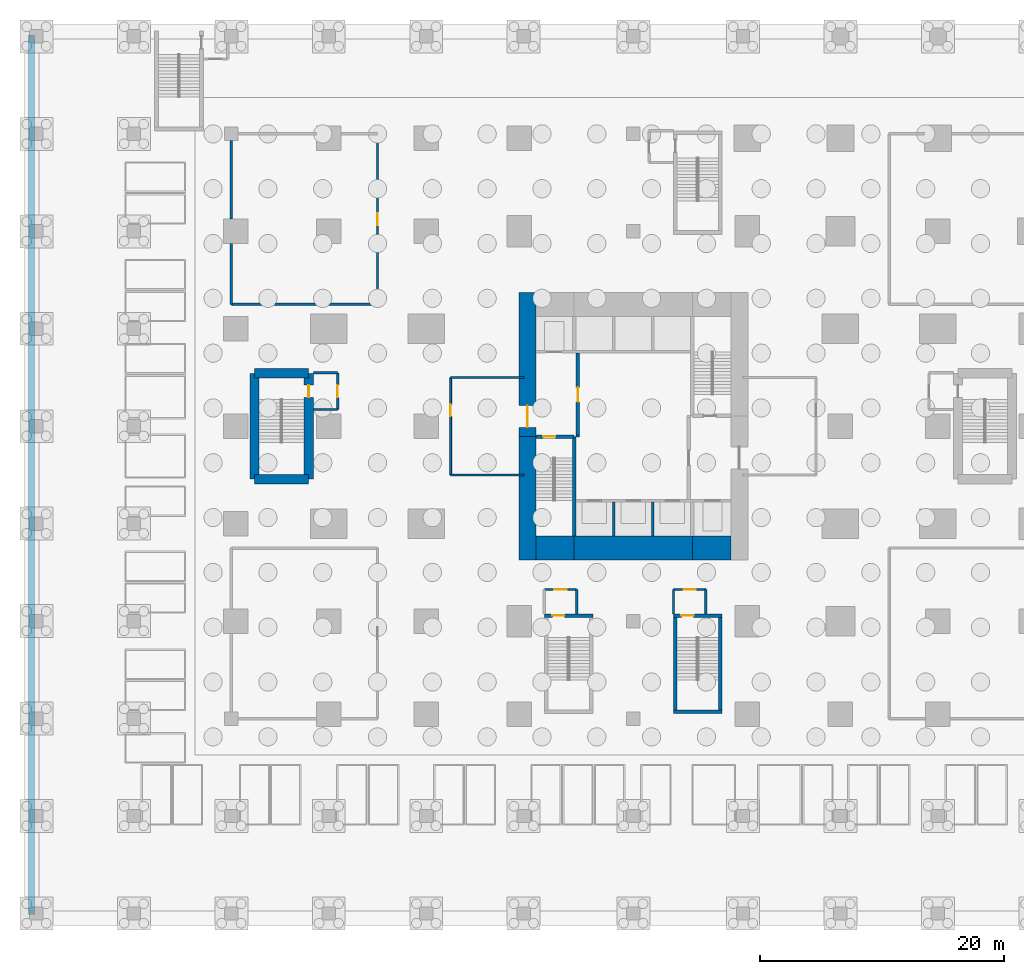
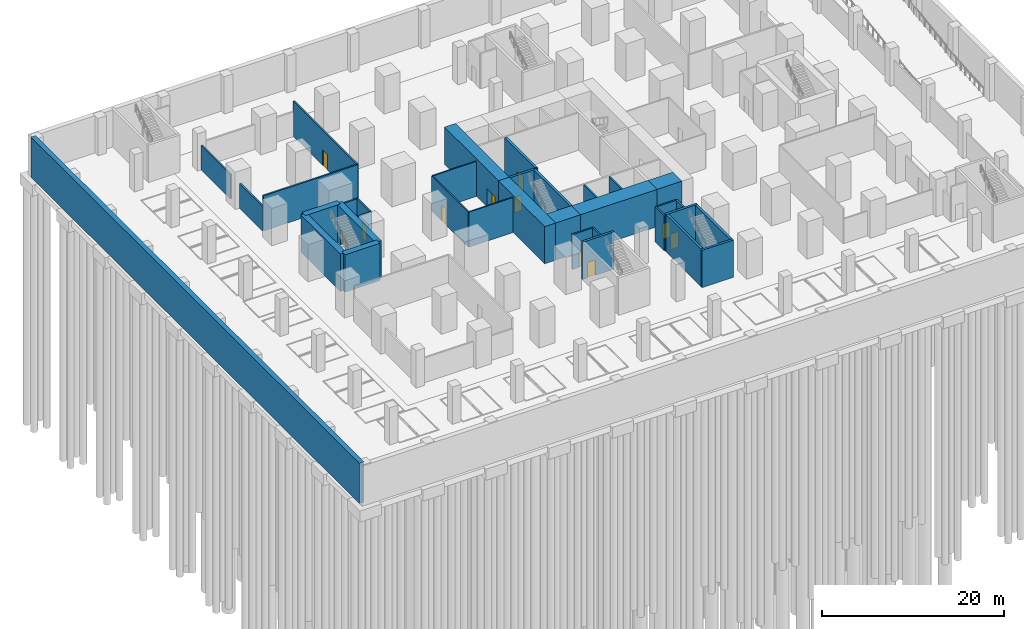
# One storey, part 7 of 17: 36 walls, 11 doors, 11 openings.
"""IFC4 building model written with IfcOpenShell, lengths in metres."""

import ifcopenshell
import ifcopenshell.guid

model = None  # the IFC model being written
_history = None  # IfcOwnerHistory: only IFC2X3 demands one
_inside = {}  # id of a spatial element -> (the spatial element, [elements in it])
_under = {}  # id of a project, library or spatial element -> (it, [spatial elements below it])
_declared = {}  # id of a project -> (the project, [libraries it declares])
_typed = {}  # id of a type object -> (the type object, [elements of that type])
_made_of = {}  # id of a material, layer set ... -> (it, [elements and type objects made of it])


def new_model(schema):
    """Start an empty IFC model of exactly this schema.

    Asked for "IFC4X3", IfcOpenShell would pick the latest addendum, in which some entities
    have other attributes; the version numbers below select the first issue.
    IFC2X3 requires an IfcOwnerHistory on every rooted entity: one is made here for all.
    """
    global model, _history
    if schema == "IFC4X3":
        model = ifcopenshell.file(schema_version=(4, 3, 0, 0))
    else:
        model = ifcopenshell.file(schema=schema)
    _inside.clear()
    _under.clear()
    _declared.clear()
    _typed.clear()
    _made_of.clear()
    _history = None
    if model.schema == "IFC2X3":
        org = make("IfcOrganization", Name="unknown")
        user = make(
            "IfcPersonAndOrganization",
            ThePerson=make("IfcPerson", FamilyName="unknown"),
            TheOrganization=org,
        )
        app = make(
            "IfcApplication",
            ApplicationDeveloper=org,
            Version="unknown",
            ApplicationFullName="unknown",
            ApplicationIdentifier="unknown",
        )
        _history = make(
            "IfcOwnerHistory",
            OwningUser=user,
            OwningApplication=app,
            ChangeAction="ADDED",
            CreationDate=0,
        )
    return model


def make(cls, **values):
    """One entity of the class cls with the attributes given. An attribute that is None is left unset."""
    return model.create_entity(
        cls, **{name: value for name, value in values.items() if value is not None}
    )


def rooted(cls, **values):
    """An entity with a GlobalId (a new one), such as an element, a storey or a relation."""
    return make(cls, GlobalId=ifcopenshell.guid.new(), OwnerHistory=_history, **values)


def si_unit(unit_type, name, prefix=None):
    """IfcSIUnit, for example si_unit("LENGTHUNIT", "METRE", prefix="MILLI")."""
    return make("IfcSIUnit", UnitType=unit_type, Prefix=prefix, Name=name)


def assignment(units):
    """IfcUnitAssignment: the units of a project."""
    return None if units is None else make("IfcUnitAssignment", Units=units)


def point(xyz):
    """IfcCartesianPoint."""
    return None if xyz is None else make("IfcCartesianPoint", Coordinates=xyz)


def direction(xyz):
    """IfcDirection."""
    return None if xyz is None else make("IfcDirection", DirectionRatios=xyz)


def frame(location, z_axis=None, x_axis=None):
    """IfcAxis2Placement3D, a coordinate frame: its origin and axes. An axis left out is left unset."""
    return make(
        "IfcAxis2Placement3D",
        Location=point(location),
        Axis=direction(z_axis),
        RefDirection=direction(x_axis),
    )


def frame_2d(location, x_axis=None):
    """IfcAxis2Placement2D, a coordinate frame in the plane: its origin and x axis."""
    return make(
        "IfcAxis2Placement2D", Location=point(location), RefDirection=direction(x_axis)
    )


def origin():
    """The frame at (0, 0, 0) with its axes left unset."""
    return frame((0.0, 0.0, 0.0))


def place(relative_to, where):
    """IfcLocalPlacement: puts the frame where relative to a parent placement (None: the world)."""
    return make(
        "IfcLocalPlacement", PlacementRelTo=relative_to, RelativePlacement=where
    )


def context(
    kind, dimensions, precision=None, world=None, true_north=None, identifier=None
):
    """IfcGeometricRepresentationContext, for example the 3D "Model" context."""
    return make(
        "IfcGeometricRepresentationContext",
        ContextIdentifier=identifier,
        ContextType=kind,
        CoordinateSpaceDimension=dimensions,
        Precision=precision,
        WorldCoordinateSystem=world,
        TrueNorth=true_north,
    )


def subcontext(parent, identifier, kind, view, scale=None):
    """IfcGeometricRepresentationSubContext, for example "Body" below "Model"."""
    return make(
        "IfcGeometricRepresentationSubContext",
        ContextIdentifier=identifier,
        ContextType=kind,
        ParentContext=parent,
        TargetScale=scale,
        TargetView=view,
    )


def project(units=None, contexts=None):
    """IfcProject with its units and contexts."""
    return rooted(
        "IfcProject",
        Name="project",
        RepresentationContexts=contexts,
        UnitsInContext=assignment(units),
    )


def spatial(cls, under=None, at=None, **own):
    """A site, building, storey or space (cls), placed at a placement, below another one or the project."""
    s = rooted(cls, ObjectPlacement=at, **own)
    if under is not None:
        _under.setdefault(under.id(), (under, []))[1].append(s)
    return s


def profile(cls, at=None, kind="AREA", **sizes):
    """A parametric profile (cls). Its sizes go by their IFC names, for example OverallWidth=200.0."""
    return make(cls, ProfileType=kind, Position=at, **sizes)


def rectangle(**sizes):
    """IfcRectangleProfileDef."""
    return profile("IfcRectangleProfileDef", **sizes)


def extrude(swept, where, along, depth):
    """IfcExtrudedAreaSolid: the profile swept, set in the frame where, extruded along a direction by depth."""
    return make(
        "IfcExtrudedAreaSolid",
        SweptArea=swept,
        Position=where,
        ExtrudedDirection=direction(along),
        Depth=depth,
    )


def shape(context_of_items, identifier, shape_type, items):
    """IfcShapeRepresentation: the items that make up one representation, for example the "Body"."""
    return make(
        "IfcShapeRepresentation",
        ContextOfItems=context_of_items,
        RepresentationIdentifier=identifier,
        RepresentationType=shape_type,
        Items=items,
    )


def material(Name=None, Category=None):
    """IfcMaterial."""
    return make("IfcMaterial", Name=Name, Category=Category)


def layer(
    of_material, thickness, ventilated=None, Name=None, Category=None, Priority=None
):
    """IfcMaterialLayer: one layer of a wall or slab, of a material (None: an air gap)."""
    return make(
        "IfcMaterialLayer",
        Material=of_material,
        LayerThickness=thickness,
        IsVentilated=ventilated,
        Name=Name,
        Category=Category,
        Priority=Priority,
    )


def layer_set(layers, Name=None):
    """IfcMaterialLayerSet."""
    return make("IfcMaterialLayerSet", MaterialLayers=layers, LayerSetName=Name)


def made_of(thing, what):
    """Note that an element or type object is made of a material, layer set ...; save() writes the relation."""
    if what is not None:
        _made_of.setdefault(what.id(), (what, []))[1].append(thing)
    return thing


def type_object(cls, material=None, **own):
    """A type object (cls), such as IfcWallType, which elements share."""
    return made_of(rooted(cls, **own), material)


def element(
    cls,
    number,
    at=None,
    inside=None,
    cuts=None,
    type_object=None,
    material=None,
    context=None,
    identifier="Body",
    shape_type=None,
    held_by="IfcProductDefinitionShape",
    body=None,
    shapes=None,
    **own,
):
    """One element of the class cls, such as IfcWall. Its Tag is "e" and its number.

    at: its placement. inside: the storey or other place that contains it. cuts: it is an
    opening in that element (IfcRelVoidsElement). A single representation is given by context,
    identifier, shape_type and body (its items); several are given by shapes. held_by: the class
    of the entity that holds the representations. save() writes the other relations.
    """
    e = rooted(cls, Tag="e%d" % number, ObjectPlacement=at, **own)
    if body is not None:
        shapes = [shape(context, identifier, shape_type, body)]
    if shapes is not None:
        e.Representation = make(held_by, Representations=shapes)
    if inside is not None:
        _inside.setdefault(inside.id(), (inside, []))[1].append(e)
    if cuts is not None:
        rooted(
            "IfcRelVoidsElement", RelatingBuildingElement=cuts, RelatedOpeningElement=e
        )
    if type_object is not None:
        _typed.setdefault(type_object.id(), (type_object, []))[1].append(e)
    return made_of(e, material)


def fill(opening, filler):
    """IfcRelFillsElement: the door or window that sits in an opening."""
    return rooted(
        "IfcRelFillsElement",
        RelatingOpeningElement=opening,
        RelatedBuildingElement=filler,
    )


def aggregate(whole, parts):
    """IfcRelAggregates: a whole, such as a stair, and the parts it consists of."""
    return rooted("IfcRelAggregates", RelatingObject=whole, RelatedObjects=parts)


def save(model, path):
    """Write the relations noted so far, then the file.

    IfcRelAggregates (storeys below a building ...), IfcRelContainedInSpatialStructure (elements
    in a storey), IfcRelDefinesByType, IfcRelAssociatesMaterial and IfcRelDeclares: one each for
    every whole, place, type object, material and project.
    """
    for whole, parts in _under.values():
        aggregate(whole, parts)
    for where, things in _inside.values():
        rooted(
            "IfcRelContainedInSpatialStructure",
            RelatedElements=things,
            RelatingStructure=where,
        )
    for kind, things in _typed.values():
        rooted("IfcRelDefinesByType", RelatedObjects=things, RelatingType=kind)
    for what, things in _made_of.values():
        rooted("IfcRelAssociatesMaterial", RelatedObjects=things, RelatingMaterial=what)
    for by, libraries in _declared.values():
        rooted("IfcRelDeclares", RelatingContext=by, RelatedDefinitions=libraries)
    model.write(path)


model = new_model("IFC4")

# Units and contexts
model_context = context("Model", 3, precision=1e-05, world=origin(), true_north=direction((0.0, 1.0)))
body_context = subcontext(model_context, "Body", "Model", "MODEL_VIEW")
ifc_project = project(units=[si_unit("LENGTHUNIT", "METRE"), si_unit("AREAUNIT", "SQUARE_METRE"), si_unit("VOLUMEUNIT", "CUBIC_METRE"), si_unit("PLANEANGLEUNIT", "RADIAN"), si_unit("MASSUNIT", "GRAM", prefix="KILO")], contexts=[model_context])

# Site, building, storey
site_placement = place(None, origin())
site = spatial("IfcSite", under=ifc_project, at=site_placement, CompositionType="ELEMENT")
building_placement = place(site_placement, origin())
building = spatial("IfcBuilding", under=site, at=building_placement, Name="Cleftline Residences", CompositionType="ELEMENT")
storey_placement = place(building_placement, frame((0.0, 0.0, -5.0)))
storey = spatial("IfcBuildingStorey", under=building, at=storey_placement, Name="L-01", CompositionType="ELEMENT", Elevation=-5.0)

# Wall
ifc_material_1 = material(Name="Concrete B70", Category="concrete")
ifc_layer_1 = layer(ifc_material_1, 1.39990234375)
ifc_layer_set_1 = layer_set([ifc_layer_1], Name="CORE WALL 1400")
wall_type_1 = type_object("IfcWallType", Name="CORE WALL 1400", PredefinedType="SHEAR", material=ifc_layer_set_1)
wall_1_placement = place(storey_placement, frame((24.300048828125, 13.0, 0.0), z_axis=(0.0, 0.0, 1.0), x_axis=(0.0, 1.0, 0.0)))
element("IfcWall", 1, at=wall_1_placement, inside=storey, type_object=wall_type_1, Name="Core wall W0", PredefinedType="SHEAR", context=body_context, shape_type="SweptSolid", body=[
    extrude(rectangle(XDim=10.14990234375, YDim=1.39990234375, at=frame_2d((5.074951171875, 0.0))), origin(), (0.0, 0.0, 1.0), 5.0),
])

# Wall, opening, door
wall_2_placement = place(storey_placement, frame((24.300048828125, 23.14990234375, 0.0), z_axis=(0.0, 0.0, 1.0), x_axis=(0.0, 1.0, 0.0)))
wall_2 = element("IfcWall", 2, at=wall_2_placement, inside=storey, type_object=wall_type_1, Name="Core wall W", PredefinedType="SHEAR", context=body_context, shape_type="SweptSolid", body=[
    extrude(rectangle(XDim=11.85009765625, YDim=1.39990234375, at=frame_2d((5.925048828125, 0.0))), origin(), (0.0, 0.0, 1.0), 5.0),
])
opening_1_placement = place(wall_2_placement, frame((0.75, 0.0, 0.0)))
opening_1 = element("IfcOpeningElement", 3, at=opening_1_placement, cuts=wall_2, Name="Opening D7", PredefinedType="OPENING", context=body_context, shape_type="SweptSolid", body=[
    extrude(rectangle(XDim=1.800048828125, YDim=2.39990234375, at=frame_2d((0.89990234375, 1.199951171875))), frame((0.0, 0.7099609375, 0.0), z_axis=(0.0, -1.0, 0.0), x_axis=(1.0, 0.0, 0.0)), (0.0, 0.0, 1.0), 1.419921875),
])
ifc_material_2 = material(Name="Steel", Category="steel")
door_type_1 = type_object("IfcDoorType", Name="WING DOOR 1800X2400", OperationType="DOUBLE_DOOR_DOUBLE_SWING", PredefinedType="DOOR", material=ifc_material_2)
door_1_placement = place(opening_1_placement, origin())
door_1 = element("IfcDoor", 4, at=door_1_placement, inside=storey, type_object=door_type_1, Name="West wing door", OperationType="DOUBLE_DOOR_DOUBLE_SWING", OverallHeight=2.39990234375, OverallWidth=1.800048828125, PredefinedType="DOOR", context=body_context, shape_type="SweptSolid", body=[
    extrude(rectangle(XDim=1.800048828125, YDim=2.39990234375, at=frame_2d((0.89990234375, 1.199951171875))), frame((0.0, 0.02490234375, 0.0), z_axis=(0.0, -1.0, 0.0), x_axis=(1.0, 0.0, 0.0)), (0.0, 0.0, 1.0), 0.050048828125),
])
fill(opening_1, door_1)

# Walls
ifc_material_3 = material(Name="Concrete B70", Category="concrete")
ifc_layer_2 = layer(ifc_material_3, 2.0)
ifc_layer_set_2 = layer_set([ifc_layer_2], Name="CORE WALL 2000")
wall_type_2 = type_object("IfcWallType", Name="CORE WALL 2000", PredefinedType="SHEAR", material=ifc_layer_set_2)
wall_3_placement = place(storey_placement, frame((25.0, 14.0, 0.0), z_axis=(0.0, 0.0, 1.0), x_axis=(1.0, 0.0, 0.0)))
element("IfcWall", 5, at=wall_3_placement, inside=storey, type_object=wall_type_2, Name="Core wall S1", PredefinedType="SHEAR", context=body_context, shape_type="SweptSolid", body=[
    extrude(rectangle(XDim=3.14990234375, YDim=2.0, at=frame_2d((1.574951171875, 0.0))), origin(), (0.0, 0.0, 1.0), 5.0),
])
wall_4_placement = place(storey_placement, frame((28.14990234375, 14.0, 0.0), z_axis=(0.0, 0.0, 1.0), x_axis=(1.0, 0.0, 0.0)))
element("IfcWall", 6, at=wall_4_placement, inside=storey, type_object=wall_type_2, Name="Core wall S2", PredefinedType="SHEAR", context=body_context, shape_type="SweptSolid", body=[
    extrude(rectangle(XDim=9.7001953125, YDim=2.0, at=frame_2d((4.85009765625, 0.0))), origin(), (0.0, 0.0, 1.0), 5.0),
])
wall_5_placement = place(storey_placement, frame((37.85009765625, 14.0, 0.0), z_axis=(0.0, 0.0, 1.0), x_axis=(1.0, 0.0, 0.0)))
element("IfcWall", 7, at=wall_5_placement, inside=storey, type_object=wall_type_2, Name="Core wall S3", PredefinedType="SHEAR", context=body_context, shape_type="SweptSolid", body=[
    extrude(rectangle(XDim=3.14990234375, YDim=2.0, at=frame_2d((1.574951171875, 0.0))), origin(), (0.0, 0.0, 1.0), 5.0),
])
ifc_material_4 = material(Name="Concrete B70", Category="concrete")
ifc_layer_3 = layer(ifc_material_4, 0.300048828125)
ifc_layer_set_3 = layer_set([ifc_layer_3], Name="CORE WALL 300")
wall_type_3 = type_object("IfcWallType", Name="CORE WALL 300", PredefinedType="SHEAR", material=ifc_layer_set_3)
wall_6_placement = place(storey_placement, frame((28.14990234375, 15.0, 0.0), z_axis=(0.0, 0.0, 1.0), x_axis=(0.0, 1.0, 0.0)))
element("IfcWall", 8, at=wall_6_placement, inside=storey, type_object=wall_type_3, Name="Core wall SA-E", PredefinedType="SHEAR", context=body_context, shape_type="SweptSolid", body=[
    extrude(rectangle(XDim=8.14990234375, YDim=0.300048828125, at=frame_2d((4.074951171875, 0.0))), origin(), (0.0, 0.0, 1.0), 5.0),
])

# Wall, opening, door
wall_7_placement = place(storey_placement, frame((25.0, 23.14990234375, 0.0), z_axis=(0.0, 0.0, 1.0), x_axis=(1.0, 0.0, 0.0)))
wall_7 = element("IfcWall", 9, at=wall_7_placement, inside=storey, type_object=wall_type_3, Name="Core wall SA-N", PredefinedType="SHEAR", context=body_context, shape_type="SweptSolid", body=[
    extrude(rectangle(XDim=3.14990234375, YDim=0.300048828125, at=frame_2d((1.574951171875, 0.0))), origin(), (0.0, 0.0, 1.0), 5.0),
])
opening_2_placement = place(wall_7_placement, frame((0.60009765625, 0.0, 0.0)))
opening_2 = element("IfcOpeningElement", 10, at=opening_2_placement, cuts=wall_7, Name="Opening D5", PredefinedType="OPENING", context=body_context, shape_type="SweptSolid", body=[
    extrude(rectangle(XDim=1.0, YDim=2.10009765625, at=frame_2d((0.5, 1.050048828125))), frame((0.0, 0.159912109375, 0.0), z_axis=(0.0, -1.0, 0.0), x_axis=(1.0, 0.0, 0.0)), (0.0, 0.0, 1.0), 0.320068359375),
])
ifc_material_5 = material(Name="Steel", Category="steel")
door_type_2 = type_object("IfcDoorType", Name="STAIR DOOR 1000X2100", OperationType="SINGLE_SWING_LEFT", PredefinedType="DOOR", material=ifc_material_5)
door_2_placement = place(opening_2_placement, origin())
door_2 = element("IfcDoor", 11, at=door_2_placement, inside=storey, type_object=door_type_2, Name="Stair A door", OperationType="SINGLE_SWING_RIGHT", OverallHeight=2.10009765625, OverallWidth=1.0, PredefinedType="DOOR", context=body_context, shape_type="SweptSolid", body=[
    extrude(rectangle(XDim=1.0, YDim=2.10009765625, at=frame_2d((0.5, 1.050048828125))), frame((0.0, 0.02490234375, 0.0), z_axis=(0.0, -1.0, 0.0), x_axis=(1.0, 0.0, 0.0)), (0.0, 0.0, 1.0), 0.050048828125),
])
fill(opening_2, door_2)

ifc_material_6 = material(Name="Concrete blockwork, fire rated", Category="masonry")
ifc_layer_4 = layer(ifc_material_6, 0.199951171875)
ifc_layer_set_4 = layer_set([ifc_layer_4], Name="FIRE WALL 200")
wall_type_4 = type_object("IfcWallType", Name="FIRE WALL 200", PredefinedType="PARTITIONING", material=ifc_layer_set_4)
wall_8_placement = place(storey_placement, frame((25.699951171875, 10.60009765625, 0.0), z_axis=(0.0, 0.0, 1.0), x_axis=(1.0, 0.0, 0.0)))
wall_8 = element("IfcWall", 12, at=wall_8_placement, inside=storey, type_object=wall_type_4, Name="Fire separating wall", PredefinedType="PARTITIONING", context=body_context, shape_type="SweptSolid", body=[
    extrude(rectangle(XDim=2.650146484375, YDim=0.199951171875, at=frame_2d((1.3251953125, 0.0))), origin(), (0.0, 0.0, 1.0), 4.699951171875),
])
opening_3_placement = place(wall_8_placement, frame((0.824951171875, 0.0, 0.0)))
opening_3 = element("IfcOpeningElement", 13, at=opening_3_placement, cuts=wall_8, Name="Opening D2F60", PredefinedType="OPENING", context=body_context, shape_type="SweptSolid", body=[
    extrude(rectangle(XDim=1.0, YDim=2.10009765625, at=frame_2d((0.5, 1.050048828125))), frame((0.0, 0.10986328125, 0.0), z_axis=(0.0, -1.0, 0.0), x_axis=(1.0, 0.0, 0.0)), (0.0, 0.0, 1.0), 0.219970703125),
])
ifc_material_7 = material(Name="Timber veneer on solid core", Category="wood")
door_type_3 = type_object("IfcDoorType", Name="DOOR 1000X2100 EI 60", OperationType="SINGLE_SWING_LEFT", PredefinedType="DOOR", material=ifc_material_7)
door_3_placement = place(opening_3_placement, origin())
door_3 = element("IfcDoor", 14, at=door_3_placement, inside=storey, type_object=door_type_3, Name="Door to stair c lobby", OperationType="SINGLE_SWING_LEFT", OverallHeight=2.10009765625, OverallWidth=1.0, PredefinedType="DOOR", context=body_context, shape_type="SweptSolid", body=[
    extrude(rectangle(XDim=1.0, YDim=2.10009765625, at=frame_2d((0.5, 1.050048828125))), frame((0.0, 0.02490234375, 0.0), z_axis=(0.0, -1.0, 0.0), x_axis=(1.0, 0.0, 0.0)), (0.0, 0.0, 1.0), 0.050048828125),
])
fill(opening_3, door_3)

wall_9_placement = place(storey_placement, frame((36.300048828125, 10.60009765625, 0.0), z_axis=(0.0, 0.0, 1.0), x_axis=(1.0, 0.0, 0.0)))
wall_9 = element("IfcWall", 15, at=wall_9_placement, inside=storey, type_object=wall_type_4, Name="Fire separating wall", PredefinedType="PARTITIONING", context=body_context, shape_type="SweptSolid", body=[
    extrude(rectangle(XDim=2.64990234375, YDim=0.199951171875, at=frame_2d((1.324951171875, 0.0))), origin(), (0.0, 0.0, 1.0), 4.699951171875),
])
opening_4_placement = place(wall_9_placement, frame((0.824951171875, 0.0, 0.0)))
opening_4 = element("IfcOpeningElement", 16, at=opening_4_placement, cuts=wall_9, Name="Opening D2F60", PredefinedType="OPENING", context=body_context, shape_type="SweptSolid", body=[
    extrude(rectangle(XDim=1.0, YDim=2.10009765625, at=frame_2d((0.5, 1.050048828125))), frame((0.0, 0.10986328125, 0.0), z_axis=(0.0, -1.0, 0.0), x_axis=(1.0, 0.0, 0.0)), (0.0, 0.0, 1.0), 0.219970703125),
])
door_4_placement = place(opening_4_placement, origin())
door_4 = element("IfcDoor", 17, at=door_4_placement, inside=storey, type_object=door_type_3, Name="Door to stair c2 lobby", OperationType="SINGLE_SWING_LEFT", OverallHeight=2.10009765625, OverallWidth=1.0, PredefinedType="DOOR", context=body_context, shape_type="SweptSolid", body=[
    extrude(rectangle(XDim=1.0, YDim=2.10009765625, at=frame_2d((0.5, 1.050048828125))), frame((0.0, 0.02490234375, 0.0), z_axis=(0.0, -1.0, 0.0), x_axis=(1.0, 0.0, 0.0)), (0.0, 0.0, 1.0), 0.050048828125),
])
fill(opening_4, door_4)

# Walls
for number, where, z_axis, x_axis, name in (
    (18, (6.72509765625, 25.375, 0.0), (0.0, 0.0, 1.0), (1.0, 0.0, 0.0), "Fire separating wall"),
    (19, (6.72509765625, 28.375, 0.0), (0.0, 0.0, 1.0), (1.0, 0.0, 0.0), "Fire separating wall"),
):
    element("IfcWall", number, at=place(storey_placement, frame(where, z_axis=z_axis, x_axis=x_axis)), inside=storey, type_object=wall_type_4, Name=name, PredefinedType="PARTITIONING", context=body_context, shape_type="SweptSolid", body=[
        extrude(rectangle(XDim=2.0, YDim=0.199951171875, at=frame_2d((1.0, 0.0))), origin(), (0.0, 0.0, 1.0), 4.699951171875),
    ])
wall_10_placement = place(storey_placement, frame((0.0, 34.0, 0.0), z_axis=(0.0, 0.0, 1.0), x_axis=(1.0, 0.0, 0.0)))
element("IfcWall", 20, at=wall_10_placement, inside=storey, type_object=wall_type_4, Name="Fire separating wall", PredefinedType="PARTITIONING", context=body_context, shape_type="SweptSolid", body=[
    extrude(rectangle(XDim=12.0, YDim=0.199951171875, at=frame_2d((6.0, 0.0))), origin(), (0.0, 0.0, 1.0), 4.699951171875),
])
wall_11_placement = place(storey_placement, frame((0.0, 34.0, 0.0), z_axis=(0.0, 0.0, 1.0), x_axis=(0.0, 1.0, 0.0)))
element("IfcWall", 21, at=wall_11_placement, inside=storey, type_object=wall_type_4, Name="Fire separating wall", PredefinedType="PARTITIONING", context=body_context, shape_type="SweptSolid", body=[
    extrude(rectangle(XDim=5.0, YDim=0.199951171875, at=frame_2d((2.5, 0.0))), origin(), (0.0, 0.0, 1.0), 3.300048828125),
])
wall_12_placement = place(storey_placement, frame((0.0, 41.0, 0.0), z_axis=(0.0, 0.0, 1.0), x_axis=(0.0, 1.0, 0.0)))
element("IfcWall", 22, at=wall_12_placement, inside=storey, type_object=wall_type_4, Name="Fire separating wall", PredefinedType="PARTITIONING", context=body_context, shape_type="SweptSolid", body=[
    extrude(rectangle(XDim=6.449951171875, YDim=0.199951171875, at=frame_2d((3.22509765625, 0.0))), origin(), (0.0, 0.0, 1.0), 3.300048828125),
])

# Wall, opening, door
wall_13_placement = place(storey_placement, frame((8.72509765625, 25.375, 0.0), z_axis=(0.0, 0.0, 1.0), x_axis=(0.0, 1.0, 0.0)))
wall_13 = element("IfcWall", 23, at=wall_13_placement, inside=storey, type_object=wall_type_4, Name="Fire separating wall", PredefinedType="PARTITIONING", context=body_context, shape_type="SweptSolid", body=[
    extrude(rectangle(XDim=3.0, YDim=0.199951171875, at=frame_2d((1.5, 0.0))), origin(), (0.0, 0.0, 1.0), 4.699951171875),
])
opening_5_placement = place(wall_13_placement, frame((1.0, 0.0, 0.0)))
opening_5 = element("IfcOpeningElement", 24, at=opening_5_placement, cuts=wall_13, Name="Opening D2F60", PredefinedType="OPENING", context=body_context, shape_type="SweptSolid", body=[
    extrude(rectangle(XDim=1.0, YDim=2.10009765625, at=frame_2d((0.5, 1.050048828125))), frame((0.0, 0.10986328125, 0.0), z_axis=(0.0, -1.0, 0.0), x_axis=(1.0, 0.0, 0.0)), (0.0, 0.0, 1.0), 0.219970703125),
])
door_5_placement = place(opening_5_placement, origin())
door_5 = element("IfcDoor", 25, at=door_5_placement, inside=storey, type_object=door_type_3, Name="Door to stair w lobby", OperationType="SINGLE_SWING_LEFT", OverallHeight=2.10009765625, OverallWidth=1.0, PredefinedType="DOOR", context=body_context, shape_type="SweptSolid", body=[
    extrude(rectangle(XDim=1.0, YDim=2.10009765625, at=frame_2d((0.5, 1.050048828125))), frame((0.0, 0.02490234375, 0.0), z_axis=(0.0, -1.0, 0.0), x_axis=(1.0, 0.0, 0.0)), (0.0, 0.0, 1.0), 0.050048828125),
])
fill(opening_5, door_5)

wall_14_placement = place(storey_placement, frame((12.0, 34.0, 0.0), z_axis=(0.0, 0.0, 1.0), x_axis=(0.0, 1.0, 0.0)))
wall_14 = element("IfcWall", 26, at=wall_14_placement, inside=storey, type_object=wall_type_4, Name="Fire separating wall", PredefinedType="PARTITIONING", context=body_context, shape_type="SweptSolid", body=[
    extrude(rectangle(XDim=14.0, YDim=0.199951171875, at=frame_2d((7.0, 0.0))), origin(), (0.0, 0.0, 1.0), 4.699951171875),
])
opening_6_placement = place(wall_14_placement, frame((6.5, 0.0, 0.0)))
opening_6 = element("IfcOpeningElement", 27, at=opening_6_placement, cuts=wall_14, Name="Opening D2F60", PredefinedType="OPENING", context=body_context, shape_type="SweptSolid", body=[
    extrude(rectangle(XDim=1.0, YDim=2.10009765625, at=frame_2d((0.5, 1.050048828125))), frame((0.0, 0.10986328125, 0.0), z_axis=(0.0, -1.0, 0.0), x_axis=(1.0, 0.0, 0.0)), (0.0, 0.0, 1.0), 0.219970703125),
])
door_6_placement = place(opening_6_placement, origin())
door_6 = element("IfcDoor", 28, at=door_6_placement, inside=storey, type_object=door_type_3, Name="Door to substation", OperationType="SINGLE_SWING_LEFT", OverallHeight=2.10009765625, OverallWidth=1.0, PredefinedType="DOOR", context=body_context, shape_type="SweptSolid", body=[
    extrude(rectangle(XDim=1.0, YDim=2.10009765625, at=frame_2d((0.5, 1.050048828125))), frame((0.0, 0.02490234375, 0.0), z_axis=(0.0, -1.0, 0.0), x_axis=(1.0, 0.0, 0.0)), (0.0, 0.0, 1.0), 0.050048828125),
])
fill(opening_6, door_6)

# Walls
for number, where, z_axis, x_axis, name in (
    (29, (28.35009765625, 8.60009765625, 0.0), (0.0, 0.0, 1.0), (0.0, 1.0, 0.0), "Fire separating wall"),
    (30, (36.300048828125, 8.60009765625, 0.0), (0.0, 0.0, 1.0), (0.0, 1.0, 0.0), "Fire separating wall"),
    (31, (38.949951171875, 8.60009765625, 0.0), (0.0, 0.0, 1.0), (0.0, 1.0, 0.0), "Fire separating wall"),
):
    element("IfcWall", number, at=place(storey_placement, frame(where, z_axis=z_axis, x_axis=x_axis)), inside=storey, type_object=wall_type_4, Name=name, PredefinedType="PARTITIONING", context=body_context, shape_type="SweptSolid", body=[
        extrude(rectangle(XDim=2.0, YDim=0.199951171875, at=frame_2d((1.0, 0.0))), origin(), (0.0, 0.0, 1.0), 4.699951171875),
    ])
wall_15_placement = place(storey_placement, frame((28.300048828125, 23.199951171875, 0.0), z_axis=(0.0, 0.0, 1.0), x_axis=(1.0, 0.0, 0.0)))
element("IfcWall", 32, at=wall_15_placement, inside=storey, type_object=wall_type_4, Name="Fire separating wall", PredefinedType="PARTITIONING", context=body_context, shape_type="SweptSolid", body=[
    extrude(rectangle(XDim=0.300048828125, YDim=0.199951171875, at=frame_2d((0.14990234375, 0.0))), origin(), (0.0, 0.0, 1.0), 5.0),
])
ifc_material_8 = material(Name="Gypsum board on steel studs", Category="steel")
ifc_layer_5 = layer(ifc_material_8, 0.14990234375)
ifc_layer_set_5 = layer_set([ifc_layer_5], Name="PARTITION 150")
wall_type_5 = type_object("IfcWallType", Name="PARTITION 150", PredefinedType="PARTITIONING", material=ifc_layer_set_5)
for number, where, z_axis, x_axis, name in (
    (33, (18.0, 20.0, 0.0), (0.0, 0.0, 1.0), (1.0, 0.0, 0.0), "Partition"),
    (34, (18.0, 28.0, 0.0), (0.0, 0.0, 1.0), (1.0, 0.0, 0.0), "Partition"),
):
    element("IfcWall", number, at=place(storey_placement, frame(where, z_axis=z_axis, x_axis=x_axis)), inside=storey, type_object=wall_type_5, Name=name, PredefinedType="PARTITIONING", context=body_context, shape_type="SweptSolid", body=[
        extrude(rectangle(XDim=6.0, YDim=0.14990234375, at=frame_2d((3.0, 0.0))), origin(), (0.0, 0.0, 1.0), 4.699951171875),
    ])

# Wall, opening, door
wall_16_placement = place(storey_placement, frame((18.0, 20.0, 0.0), z_axis=(0.0, 0.0, 1.0), x_axis=(0.0, 1.0, 0.0)))
wall_16 = element("IfcWall", 35, at=wall_16_placement, inside=storey, type_object=wall_type_5, Name="Partition", PredefinedType="PARTITIONING", context=body_context, shape_type="SweptSolid", body=[
    extrude(rectangle(XDim=8.0, YDim=0.14990234375, at=frame_2d((4.0, 0.0))), origin(), (0.0, 0.0, 1.0), 4.699951171875),
])
opening_7_placement = place(wall_16_placement, frame((4.800048828125, 0.0, 0.0)))
opening_7 = element("IfcOpeningElement", 36, at=opening_7_placement, cuts=wall_16, Name="Opening D2F30", PredefinedType="OPENING", context=body_context, shape_type="SweptSolid", body=[
    extrude(rectangle(XDim=1.0, YDim=2.10009765625, at=frame_2d((0.5, 1.050048828125))), frame((0.0, 0.0849609375, 0.0), z_axis=(0.0, -1.0, 0.0), x_axis=(1.0, 0.0, 0.0)), (0.0, 0.0, 1.0), 0.169921875),
])
ifc_material_9 = material(Name="Timber veneer on solid core", Category="wood")
door_type_4 = type_object("IfcDoorType", Name="DOOR 1000X2100 EI 30", OperationType="SINGLE_SWING_LEFT", PredefinedType="DOOR", material=ifc_material_9)
door_7_placement = place(opening_7_placement, origin())
door_7 = element("IfcDoor", 37, at=door_7_placement, inside=storey, type_object=door_type_4, Name="Door to basement lift lobby", OperationType="SINGLE_SWING_LEFT", OverallHeight=2.10009765625, OverallWidth=1.0, PredefinedType="DOOR", context=body_context, shape_type="SweptSolid", body=[
    extrude(rectangle(XDim=1.0, YDim=2.10009765625, at=frame_2d((0.5, 1.050048828125))), frame((0.0, 0.02490234375, 0.0), z_axis=(0.0, -1.0, 0.0), x_axis=(1.0, 0.0, 0.0)), (0.0, 0.0, 1.0), 0.050048828125),
])
fill(opening_7, door_7)

# Walls
ifc_material_10 = material(Name="Concrete B40", Category="concrete")
ifc_layer_6 = layer(ifc_material_10, 0.60009765625)
ifc_layer_set_6 = layer_set([ifc_layer_6], Name="RETAINING WALL 600")
wall_type_6 = type_object("IfcWallType", Name="RETAINING WALL 600", PredefinedType="USERDEFINED", material=ifc_layer_set_6)
wall_17_placement = place(storey_placement, frame((-16.39990234375, -16.10009765625, -0.39990234375), z_axis=(0.0, 0.0, 1.0), x_axis=(0.0, 1.0, 0.0)))
element("IfcWall", 38, at=wall_17_placement, inside=storey, type_object=wall_type_6, Name="Basement retaining wall", ObjectType="RETAINING WALL", PredefinedType="USERDEFINED", context=body_context, shape_type="SweptSolid", body=[
    extrude(rectangle(XDim=72.2001953125, YDim=0.60009765625, at=frame_2d((36.10009765625, 0.0))), origin(), (0.0, 0.0, 1.0), 5.39990234375),
])
ifc_material_11 = material(Name="Concrete blockwork, fire rated", Category="masonry")
ifc_layer_7 = layer(ifc_material_11, 0.199951171875)
ifc_layer_set_7 = layer_set([ifc_layer_7], Name="SHAFT WALL 200")
wall_type_7 = type_object("IfcWallType", Name="SHAFT WALL 200", PredefinedType="PARTITIONING", material=ifc_layer_set_7)
for number, where, z_axis, x_axis, name in (
    (39, (31.39990234375, 15.0, 0.0), (0.0, 0.0, 1.0), (0.0, 1.0, 0.0), "Lift shaft wall"),
    (40, (34.60009765625, 15.0, 0.0), (0.0, 0.0, 1.0), (0.0, 1.0, 0.0), "Lift shaft wall"),
):
    element("IfcWall", number, at=place(storey_placement, frame(where, z_axis=z_axis, x_axis=x_axis)), inside=storey, type_object=wall_type_7, Name=name, PredefinedType="PARTITIONING", context=body_context, shape_type="SweptSolid", body=[
        extrude(rectangle(XDim=2.800048828125, YDim=0.199951171875, at=frame_2d((1.39990234375, 0.0))), origin(), (0.0, 0.0, 1.0), 5.0),
    ])
ifc_material_12 = material(Name="Concrete B70", Category="concrete")
ifc_layer_8 = layer(ifc_material_12, 0.75)
ifc_layer_set_8 = layer_set([ifc_layer_8], Name="SHEAR WALL 750")
wall_type_8 = type_object("IfcWallType", Name="SHEAR WALL 750", PredefinedType="SHEAR", material=ifc_layer_set_8)
wall_18_placement = place(storey_placement, frame((1.89990234375, 19.64990234375, 0.0), z_axis=(0.0, 0.0, 1.0), x_axis=(1.0, 0.0, 0.0)))
element("IfcWall", 41, at=wall_18_placement, inside=storey, type_object=wall_type_8, Name="Wing shear wall", PredefinedType="SHEAR", context=body_context, shape_type="SweptSolid", body=[
    extrude(rectangle(XDim=4.4501953125, YDim=0.75, at=frame_2d((2.22509765625, 0.0))), origin(), (0.0, 0.0, 1.0), 5.0),
])

# Wall, opening, door
wall_19_placement = place(storey_placement, frame((6.35009765625, 19.64990234375, 0.0), z_axis=(0.0, 0.0, 1.0), x_axis=(0.0, 1.0, 0.0)))
wall_19 = element("IfcWall", 42, at=wall_19_placement, inside=storey, type_object=wall_type_8, Name="Wing shear wall", PredefinedType="SHEAR", context=body_context, shape_type="SweptSolid", body=[
    extrude(rectangle(XDim=8.7001953125, YDim=0.75, at=frame_2d((4.35009765625, 0.0))), origin(), (0.0, 0.0, 1.0), 5.0),
])
opening_8_placement = place(wall_19_placement, frame((6.72509765625, 0.0, 0.0)))
opening_8 = element("IfcOpeningElement", 43, at=opening_8_placement, cuts=wall_19, Name="Opening D5", PredefinedType="OPENING", context=body_context, shape_type="SweptSolid", body=[
    extrude(rectangle(XDim=1.0, YDim=2.10009765625, at=frame_2d((0.5, 1.050048828125))), frame((0.0, 0.385009765625, 0.0), z_axis=(0.0, -1.0, 0.0), x_axis=(1.0, 0.0, 0.0)), (0.0, 0.0, 1.0), 0.77001953125),
])
door_8_placement = place(opening_8_placement, origin())
door_8 = element("IfcDoor", 44, at=door_8_placement, inside=storey, type_object=door_type_2, Name="Stair W door", OperationType="SINGLE_SWING_LEFT", OverallHeight=2.10009765625, OverallWidth=1.0, PredefinedType="DOOR", context=body_context, shape_type="SweptSolid", body=[
    extrude(rectangle(XDim=1.0, YDim=2.10009765625, at=frame_2d((0.5, 1.050048828125))), frame((0.0, 0.02490234375, 0.0), z_axis=(0.0, -1.0, 0.0), x_axis=(1.0, 0.0, 0.0)), (0.0, 0.0, 1.0), 0.050048828125),
])
fill(opening_8, door_8)

# Walls
wall_20_placement = place(storey_placement, frame((6.35009765625, 28.35009765625, 0.0), z_axis=(0.0, 0.0, 1.0), x_axis=(-1.0, 0.0, 0.0)))
element("IfcWall", 45, at=wall_20_placement, inside=storey, type_object=wall_type_8, Name="Wing shear wall", PredefinedType="SHEAR", context=body_context, shape_type="SweptSolid", body=[
    extrude(rectangle(XDim=4.4501953125, YDim=0.75, at=frame_2d((2.22509765625, 0.0))), origin(), (0.0, 0.0, 1.0), 5.0),
])
wall_21_placement = place(storey_placement, frame((1.89990234375, 28.35009765625, 0.0), z_axis=(0.0, 0.0, 1.0), x_axis=(0.0, -1.0, 0.0)))
element("IfcWall", 46, at=wall_21_placement, inside=storey, type_object=wall_type_8, Name="Wing shear wall", PredefinedType="SHEAR", context=body_context, shape_type="SweptSolid", body=[
    extrude(rectangle(XDim=8.7001953125, YDim=0.75, at=frame_2d((4.35009765625, 0.0))), origin(), (0.0, 0.0, 1.0), 5.0),
])

# Wall, opening, door
ifc_material_13 = material(Name="Concrete blockwork, fire rated", Category="masonry")
ifc_layer_9 = layer(ifc_material_13, 0.300048828125)
ifc_layer_set_9 = layer_set([ifc_layer_9], Name="STAIR ENCLOSURE WALL 300")
wall_type_9 = type_object("IfcWallType", Name="STAIR ENCLOSURE WALL 300", PredefinedType="PARTITIONING", material=ifc_layer_set_9)
wall_22_placement = place(storey_placement, frame((25.699951171875, 8.449951171875, 0.0), z_axis=(0.0, 0.0, 1.0), x_axis=(1.0, 0.0, 0.0)))
wall_22 = element("IfcWall", 47, at=wall_22_placement, inside=storey, type_object=wall_type_9, Name="Stair C enclosure", PredefinedType="PARTITIONING", context=body_context, shape_type="SweptSolid", body=[
    extrude(rectangle(XDim=4.0, YDim=0.300048828125, at=frame_2d((2.0, 0.0))), origin(), (0.0, 0.0, 1.0), 5.0),
])
opening_9_placement = place(wall_22_placement, frame((0.64990234375, 0.0, 0.0)))
opening_9 = element("IfcOpeningElement", 48, at=opening_9_placement, cuts=wall_22, Name="Opening D5", PredefinedType="OPENING", context=body_context, shape_type="SweptSolid", body=[
    extrude(rectangle(XDim=1.0, YDim=2.10009765625, at=frame_2d((0.5, 1.050048828125))), frame((0.0, 0.159912109375, 0.0), z_axis=(0.0, -1.0, 0.0), x_axis=(1.0, 0.0, 0.0)), (0.0, 0.0, 1.0), 0.320068359375),
])
door_9_placement = place(opening_9_placement, origin())
door_9 = element("IfcDoor", 49, at=door_9_placement, inside=storey, type_object=door_type_2, Name="Stair C door", OperationType="SINGLE_SWING_RIGHT", OverallHeight=2.10009765625, OverallWidth=1.0, PredefinedType="DOOR", context=body_context, shape_type="SweptSolid", body=[
    extrude(rectangle(XDim=1.0, YDim=2.10009765625, at=frame_2d((0.5, 1.050048828125))), frame((0.0, 0.02490234375, 0.0), z_axis=(0.0, -1.0, 0.0), x_axis=(1.0, 0.0, 0.0)), (0.0, 0.0, 1.0), 0.050048828125),
])
fill(opening_9, door_9)

# Wall
wall_23_placement = place(storey_placement, frame((36.300048828125, 0.550048828125, 0.0), z_axis=(0.0, 0.0, 1.0), x_axis=(1.0, 0.0, 0.0)))
element("IfcWall", 50, at=wall_23_placement, inside=storey, type_object=wall_type_9, Name="Stair C2 enclosure", PredefinedType="PARTITIONING", context=body_context, shape_type="SweptSolid", body=[
    extrude(rectangle(XDim=4.0, YDim=0.300048828125, at=frame_2d((2.0, 0.0))), origin(), (0.0, 0.0, 1.0), 5.0),
])

# Wall, opening, door
wall_24_placement = place(storey_placement, frame((36.300048828125, 8.449951171875, 0.0), z_axis=(0.0, 0.0, 1.0), x_axis=(1.0, 0.0, 0.0)))
wall_24 = element("IfcWall", 51, at=wall_24_placement, inside=storey, type_object=wall_type_9, Name="Stair C2 enclosure", PredefinedType="PARTITIONING", context=body_context, shape_type="SweptSolid", body=[
    extrude(rectangle(XDim=4.0, YDim=0.300048828125, at=frame_2d((2.0, 0.0))), origin(), (0.0, 0.0, 1.0), 5.0),
])
opening_10_placement = place(wall_24_placement, frame((0.64990234375, 0.0, 0.0)))
opening_10 = element("IfcOpeningElement", 52, at=opening_10_placement, cuts=wall_24, Name="Opening D5", PredefinedType="OPENING", context=body_context, shape_type="SweptSolid", body=[
    extrude(rectangle(XDim=1.0, YDim=2.10009765625, at=frame_2d((0.5, 1.050048828125))), frame((0.0, 0.159912109375, 0.0), z_axis=(0.0, -1.0, 0.0), x_axis=(1.0, 0.0, 0.0)), (0.0, 0.0, 1.0), 0.320068359375),
])
door_10_placement = place(opening_10_placement, origin())
door_10 = element("IfcDoor", 53, at=door_10_placement, inside=storey, type_object=door_type_2, Name="Stair C2 door", OperationType="SINGLE_SWING_RIGHT", OverallHeight=2.10009765625, OverallWidth=1.0, PredefinedType="DOOR", context=body_context, shape_type="SweptSolid", body=[
    extrude(rectangle(XDim=1.0, YDim=2.10009765625, at=frame_2d((0.5, 1.050048828125))), frame((0.0, 0.02490234375, 0.0), z_axis=(0.0, -1.0, 0.0), x_axis=(1.0, 0.0, 0.0)), (0.0, 0.0, 1.0), 0.050048828125),
])
fill(opening_10, door_10)

# Walls
for number, where, z_axis, x_axis, name in (
    (54, (36.449951171875, 0.699951171875, 0.0), (0.0, 0.0, 1.0), (0.0, 1.0, 0.0), "Stair C2 enclosure"),
    (55, (40.14990234375, 0.699951171875, 0.0), (0.0, 0.0, 1.0), (0.0, 1.0, 0.0), "Stair C2 enclosure"),
):
    element("IfcWall", number, at=place(storey_placement, frame(where, z_axis=z_axis, x_axis=x_axis)), inside=storey, type_object=wall_type_9, Name=name, PredefinedType="PARTITIONING", context=body_context, shape_type="SweptSolid", body=[
        extrude(rectangle(XDim=7.60009765625, YDim=0.300048828125, at=frame_2d((3.800048828125, 0.0))), origin(), (0.0, 0.0, 1.0), 5.0),
    ])

# Wall, opening, door
ifc_material_14 = material(Name="Concrete blockwork, fire rated", Category="masonry")
ifc_layer_10 = layer(ifc_material_14, 0.300048828125)
ifc_layer_set_10 = layer_set([ifc_layer_10], Name="STAIR LOBBY WALL 300")
wall_type_10 = type_object("IfcWallType", Name="STAIR LOBBY WALL 300", PredefinedType="PARTITIONING", material=ifc_layer_set_10)
wall_25_placement = place(storey_placement, frame((28.449951171875, 23.300048828125, 0.0), z_axis=(0.0, 0.0, 1.0), x_axis=(0.0, 1.0, 0.0)))
wall_25 = element("IfcWall", 56, at=wall_25_placement, inside=storey, type_object=wall_type_10, Name="Stair and lobby wall FA-E", PredefinedType="PARTITIONING", context=body_context, shape_type="SweptSolid", body=[
    extrude(rectangle(XDim=6.699951171875, YDim=0.300048828125, at=frame_2d((3.35009765625, 0.0))), origin(), (0.0, 0.0, 1.0), 5.0),
])
opening_11_placement = place(wall_25_placement, frame((2.699951171875, 0.0, 0.0)))
opening_11 = element("IfcOpeningElement", 57, at=opening_11_placement, cuts=wall_25, Name="Opening D6", PredefinedType="OPENING", context=body_context, shape_type="SweptSolid", body=[
    extrude(rectangle(XDim=1.199951171875, YDim=2.10009765625, at=frame_2d((0.60009765625, 1.050048828125))), frame((0.0, 0.159912109375, 0.0), z_axis=(0.0, -1.0, 0.0), x_axis=(1.0, 0.0, 0.0)), (0.0, 0.0, 1.0), 0.320068359375),
])
ifc_material_15 = material(Name="Steel", Category="steel")
door_type_5 = type_object("IfcDoorType", Name="LOBBY DOOR 1200X2100", OperationType="SINGLE_SWING_RIGHT", PredefinedType="DOOR", material=ifc_material_15)
door_11_placement = place(opening_11_placement, origin())
door_11 = element("IfcDoor", 58, at=door_11_placement, inside=storey, type_object=door_type_5, Name="Firefighting lobby A door", OperationType="SINGLE_SWING_RIGHT", OverallHeight=2.10009765625, OverallWidth=1.199951171875, PredefinedType="DOOR", context=body_context, shape_type="SweptSolid", body=[
    extrude(rectangle(XDim=1.199951171875, YDim=2.10009765625, at=frame_2d((0.60009765625, 1.050048828125))), frame((0.0, 0.02490234375, 0.0), z_axis=(0.0, -1.0, 0.0), x_axis=(1.0, 0.0, 0.0)), (0.0, 0.0, 1.0), 0.050048828125),
])
fill(opening_11, door_11)

save(model, "model.ifc")
